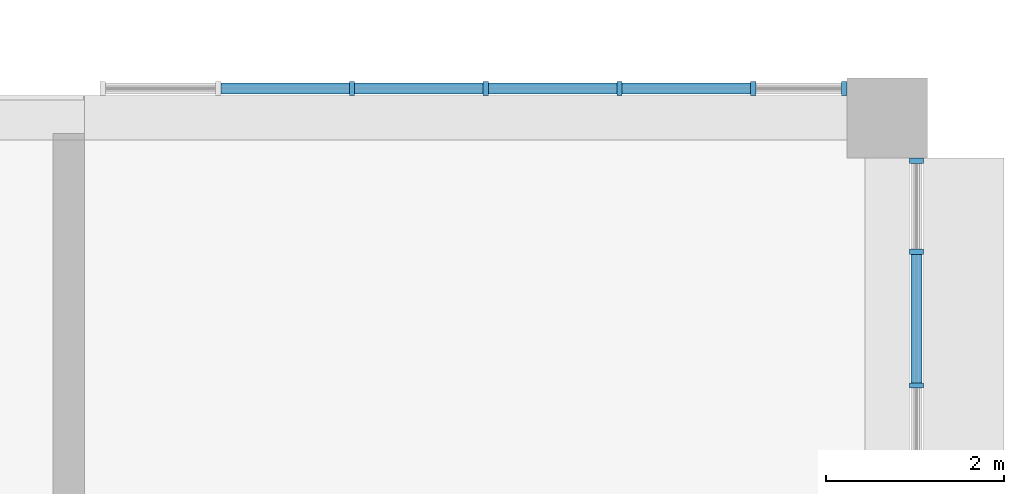
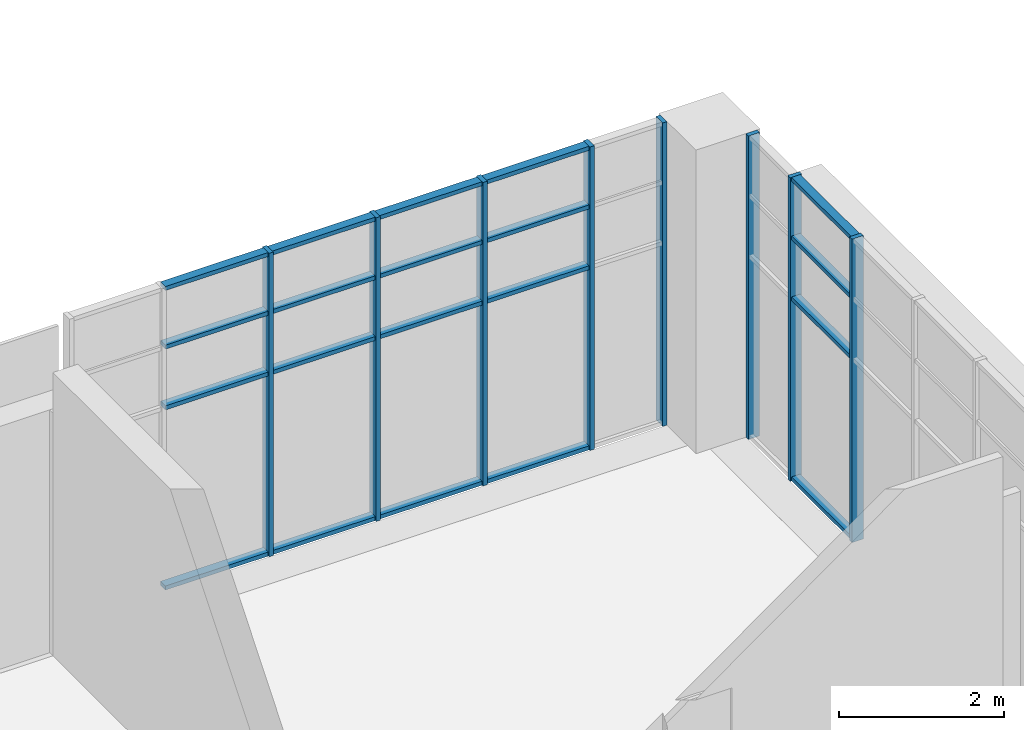
# One storey, part 14 of 45: 28 members, 2 elements without a shape of their own.
"""IFC4 building model written with IfcOpenShell, lengths in metres."""

from ifc_helpers import new_model, si_unit, direction, frame, origin, origin_2d, place, context, subcontext, project, spatial, rectangle, extrude, material, layer, layer_set, material_profile, profile_set, type_object, element, aggregate, save


model = new_model("IFC4")

# Units and contexts
model_context = context("Model", 3, precision=1e-05, world=origin(), true_north=direction((0.0, 1.0)))
body_context = subcontext(model_context, "Body", "Model", "MODEL_VIEW")
ifc_project = project(units=[si_unit("LENGTHUNIT", "METRE"), si_unit("AREAUNIT", "SQUARE_METRE"), si_unit("VOLUMEUNIT", "CUBIC_METRE"), si_unit("PLANEANGLEUNIT", "RADIAN"), si_unit("MASSUNIT", "GRAM", prefix="KILO")], contexts=[model_context])

# Site, building, storey
site_placement = place(None, origin())
site = spatial("IfcSite", under=ifc_project, at=site_placement, CompositionType="ELEMENT")
building_placement = place(site_placement, origin())
building = spatial("IfcBuilding", under=site, at=building_placement, Name="Guidao Yard Department Store", CompositionType="ELEMENT")
storey_placement = place(building_placement, frame((0.0, 0.0, 19.5)))
storey = spatial("IfcBuildingStorey", under=building, at=storey_placement, Name="L04", CompositionType="ELEMENT", Elevation=19.5)

# Curtain wall, members
ifc_material_1 = material(Name="Aluminium and glass", Category="aluminium")
ifc_layer = layer(ifc_material_1, 0.159912109375)
ifc_layer_set = layer_set([ifc_layer], Name="Unitised curtain wall CW4 1500 module")
curtain_wall_type = type_object("IfcCurtainWallType", Name="Unitised curtain wall CW4 1500 module", PredefinedType="NOTDEFINED", material=ifc_layer_set)
curtain_wall_1_placement = place(storey_placement, origin())
curtain_wall_1 = element("IfcCurtainWall", 1, at=curtain_wall_1_placement, inside=storey, type_object=curtain_wall_type, Name="Unitised curtain wall", PredefinedType="NOTDEFINED")
ifc_material_2 = material(Name="Aluminium 6063-T5", Category="aluminium")
ifc_material_profile_1 = material_profile(ifc_material_2, rectangle(XDim=0.06005859375, YDim=0.159912109375, at=origin_2d()), Name="Mullion M1 60 x 160 aluminium pressure plate")
ifc_profile_set_1 = profile_set([ifc_material_profile_1], Name="Aluminium 6063-T5")
member_type_1 = type_object("IfcMemberType", Name="Mullion M1 60 x 160 aluminium pressure plate", PredefinedType="MULLION", material=ifc_profile_set_1)
member_1_placement = place(storey_placement, frame((165.0, 27.330078125, 0.0), z_axis=(0.0, 0.0, 1.0), x_axis=(1.0, 0.0, 0.0)))
member_1 = element("IfcMember", 2, at=member_1_placement, type_object=member_type_1, Name="CW-OW-L04-08 mullion 3", PredefinedType="MULLION", context=body_context, shape_type="SweptSolid", body=[
    extrude(rectangle(XDim=0.06005859375, YDim=0.159912109375, at=origin_2d()), origin(), (0.0, 0.0, 1.0), 4.5),
])
member_2_placement = place(storey_placement, frame((166.5, 27.330078125, 0.0), z_axis=(0.0, 0.0, 1.0), x_axis=(1.0, 0.0, 0.0)))
member_2 = element("IfcMember", 3, at=member_2_placement, type_object=member_type_1, Name="CW-OW-L04-08 mullion 4", PredefinedType="MULLION", context=body_context, shape_type="SweptSolid", body=[
    extrude(rectangle(XDim=0.06005859375, YDim=0.159912109375, at=origin_2d()), origin(), (0.0, 0.0, 1.0), 4.5),
])
member_3_placement = place(storey_placement, frame((168.0, 27.330078125, 0.0), z_axis=(0.0, 0.0, 1.0), x_axis=(1.0, 0.0, 0.0)))
member_3 = element("IfcMember", 4, at=member_3_placement, type_object=member_type_1, Name="CW-OW-L04-08 mullion 5", PredefinedType="MULLION", context=body_context, shape_type="SweptSolid", body=[
    extrude(rectangle(XDim=0.06005859375, YDim=0.159912109375, at=origin_2d()), origin(), (0.0, 0.0, 1.0), 4.5),
])
member_4_placement = place(storey_placement, frame((169.5, 27.330078125, 0.0), z_axis=(0.0, 0.0, 1.0), x_axis=(1.0, 0.0, 0.0)))
member_4 = element("IfcMember", 5, at=member_4_placement, type_object=member_type_1, Name="CW-OW-L04-08 mullion 6", PredefinedType="MULLION", context=body_context, shape_type="SweptSolid", body=[
    extrude(rectangle(XDim=0.06005859375, YDim=0.159912109375, at=origin_2d()), origin(), (0.0, 0.0, 1.0), 4.5),
])
member_5_placement = place(storey_placement, frame((170.52001953125, 27.330078125, 0.0), z_axis=(0.0, 0.0, 1.0), x_axis=(1.0, 0.0, 0.0)))
member_5 = element("IfcMember", 6, at=member_5_placement, type_object=member_type_1, Name="CW-OW-L04-08 mullion 7", PredefinedType="MULLION", context=body_context, shape_type="SweptSolid", body=[
    extrude(rectangle(XDim=0.06005859375, YDim=0.159912109375, at=origin_2d()), origin(), (0.0, 0.0, 1.0), 4.5),
])

curtain_wall_2_placement = place(storey_placement, origin())
curtain_wall_2 = element("IfcCurtainWall", 7, at=curtain_wall_2_placement, inside=storey, type_object=curtain_wall_type, Name="Unitised curtain wall", PredefinedType="NOTDEFINED")
member_6_placement = place(storey_placement, frame((171.330078125, 24.0, 0.0), z_axis=(0.0, 0.0, 1.0), x_axis=(0.0, -1.0, 0.0)))
member_6 = element("IfcMember", 8, at=member_6_placement, type_object=member_type_1, Name="CW-OW-L04-11 mullion 5", PredefinedType="MULLION", context=body_context, shape_type="SweptSolid", body=[
    extrude(rectangle(XDim=0.06005859375, YDim=0.159912109375, at=origin_2d()), origin(), (0.0, 0.0, 1.0), 4.5),
])
member_7_placement = place(storey_placement, frame((171.330078125, 25.5, 0.0), z_axis=(0.0, 0.0, 1.0), x_axis=(0.0, -1.0, 0.0)))
member_7 = element("IfcMember", 9, at=member_7_placement, type_object=member_type_1, Name="CW-OW-L04-11 mullion 6", PredefinedType="MULLION", context=body_context, shape_type="SweptSolid", body=[
    extrude(rectangle(XDim=0.06005859375, YDim=0.159912109375, at=origin_2d()), origin(), (0.0, 0.0, 1.0), 4.5),
])
member_8_placement = place(storey_placement, frame((171.330078125, 26.52001953125, 0.0), z_axis=(0.0, 0.0, 1.0), x_axis=(0.0, -1.0, 0.0)))
member_8 = element("IfcMember", 10, at=member_8_placement, type_object=member_type_1, Name="CW-OW-L04-11 mullion 7", PredefinedType="MULLION", context=body_context, shape_type="SweptSolid", body=[
    extrude(rectangle(XDim=0.06005859375, YDim=0.159912109375, at=origin_2d()), origin(), (0.0, 0.0, 1.0), 4.5),
])

# Member
ifc_material_3 = material(Name="Aluminium 6063-T5", Category="aluminium")
ifc_material_profile_2 = material_profile(ifc_material_3, rectangle(XDim=0.1201171875, YDim=0.06005859375, at=origin_2d()), Name="Transom T1 60 x 120 aluminium pressure plate")
ifc_profile_set_2 = profile_set([ifc_material_profile_2], Name="Aluminium 6063-T5")
member_type_2 = type_object("IfcMemberType", Name="Transom T1 60 x 120 aluminium pressure plate", PredefinedType="USERDEFINED", material=ifc_profile_set_2)
member_9_placement = place(storey_placement, frame((163.530029296875, 27.330078125, 0.030029296875), z_axis=(1.0, 0.0, 0.0), x_axis=(0.0, 1.0, 0.0)))
member_9 = element("IfcMember", 11, at=member_9_placement, type_object=member_type_2, Name="CW-OW-L04-08 transom 2.1", ObjectType="TRANSOM", PredefinedType="USERDEFINED", context=body_context, shape_type="SweptSolid", body=[
    extrude(rectangle(XDim=0.1201171875, YDim=0.06005859375, at=origin_2d()), origin(), (0.0, 0.0, 1.0), 1.43994140625),
])

member_10_placement = place(storey_placement, frame((163.530029296875, 27.330078125, 2.699951171875), z_axis=(1.0, 0.0, 0.0), x_axis=(0.0, 1.0, 0.0)))
member_10 = element("IfcMember", 12, at=member_10_placement, type_object=member_type_2, Name="CW-OW-L04-08 transom 2.2", ObjectType="TRANSOM", PredefinedType="USERDEFINED", context=body_context, shape_type="SweptSolid", body=[
    extrude(rectangle(XDim=0.1201171875, YDim=0.06005859375, at=origin_2d()), origin(), (0.0, 0.0, 1.0), 1.43994140625),
])

member_11_placement = place(storey_placement, frame((163.530029296875, 27.330078125, 3.60009765625), z_axis=(1.0, 0.0, 0.0), x_axis=(0.0, 1.0, 0.0)))
member_11 = element("IfcMember", 13, at=member_11_placement, type_object=member_type_2, Name="CW-OW-L04-08 transom 2.3", ObjectType="TRANSOM", PredefinedType="USERDEFINED", context=body_context, shape_type="SweptSolid", body=[
    extrude(rectangle(XDim=0.1201171875, YDim=0.06005859375, at=origin_2d()), origin(), (0.0, 0.0, 1.0), 1.43994140625),
])

member_12_placement = place(storey_placement, frame((163.530029296875, 27.330078125, 4.469970703125), z_axis=(1.0, 0.0, 0.0), x_axis=(0.0, 1.0, 0.0)))
member_12 = element("IfcMember", 14, at=member_12_placement, type_object=member_type_2, Name="CW-OW-L04-08 transom 2.4", ObjectType="TRANSOM", PredefinedType="USERDEFINED", context=body_context, shape_type="SweptSolid", body=[
    extrude(rectangle(XDim=0.1201171875, YDim=0.06005859375, at=origin_2d()), origin(), (0.0, 0.0, 1.0), 1.43994140625),
])

member_13_placement = place(storey_placement, frame((165.030029296875, 27.330078125, 0.030029296875), z_axis=(1.0, 0.0, 0.0), x_axis=(0.0, 1.0, 0.0)))
member_13 = element("IfcMember", 15, at=member_13_placement, type_object=member_type_2, Name="CW-OW-L04-08 transom 3.1", ObjectType="TRANSOM", PredefinedType="USERDEFINED", context=body_context, shape_type="SweptSolid", body=[
    extrude(rectangle(XDim=0.1201171875, YDim=0.06005859375, at=origin_2d()), origin(), (0.0, 0.0, 1.0), 1.43994140625),
])

member_14_placement = place(storey_placement, frame((165.030029296875, 27.330078125, 2.699951171875), z_axis=(1.0, 0.0, 0.0), x_axis=(0.0, 1.0, 0.0)))
member_14 = element("IfcMember", 16, at=member_14_placement, type_object=member_type_2, Name="CW-OW-L04-08 transom 3.2", ObjectType="TRANSOM", PredefinedType="USERDEFINED", context=body_context, shape_type="SweptSolid", body=[
    extrude(rectangle(XDim=0.1201171875, YDim=0.06005859375, at=origin_2d()), origin(), (0.0, 0.0, 1.0), 1.43994140625),
])

member_15_placement = place(storey_placement, frame((165.030029296875, 27.330078125, 3.60009765625), z_axis=(1.0, 0.0, 0.0), x_axis=(0.0, 1.0, 0.0)))
member_15 = element("IfcMember", 17, at=member_15_placement, type_object=member_type_2, Name="CW-OW-L04-08 transom 3.3", ObjectType="TRANSOM", PredefinedType="USERDEFINED", context=body_context, shape_type="SweptSolid", body=[
    extrude(rectangle(XDim=0.1201171875, YDim=0.06005859375, at=origin_2d()), origin(), (0.0, 0.0, 1.0), 1.43994140625),
])

member_16_placement = place(storey_placement, frame((165.030029296875, 27.330078125, 4.469970703125), z_axis=(1.0, 0.0, 0.0), x_axis=(0.0, 1.0, 0.0)))
member_16 = element("IfcMember", 18, at=member_16_placement, type_object=member_type_2, Name="CW-OW-L04-08 transom 3.4", ObjectType="TRANSOM", PredefinedType="USERDEFINED", context=body_context, shape_type="SweptSolid", body=[
    extrude(rectangle(XDim=0.1201171875, YDim=0.06005859375, at=origin_2d()), origin(), (0.0, 0.0, 1.0), 1.43994140625),
])

member_17_placement = place(storey_placement, frame((166.530029296875, 27.330078125, 0.030029296875), z_axis=(1.0, 0.0, 0.0), x_axis=(0.0, 1.0, 0.0)))
member_17 = element("IfcMember", 19, at=member_17_placement, type_object=member_type_2, Name="CW-OW-L04-08 transom 4.1", ObjectType="TRANSOM", PredefinedType="USERDEFINED", context=body_context, shape_type="SweptSolid", body=[
    extrude(rectangle(XDim=0.1201171875, YDim=0.06005859375, at=origin_2d()), origin(), (0.0, 0.0, 1.0), 1.43994140625),
])

member_18_placement = place(storey_placement, frame((166.530029296875, 27.330078125, 2.699951171875), z_axis=(1.0, 0.0, 0.0), x_axis=(0.0, 1.0, 0.0)))
member_18 = element("IfcMember", 20, at=member_18_placement, type_object=member_type_2, Name="CW-OW-L04-08 transom 4.2", ObjectType="TRANSOM", PredefinedType="USERDEFINED", context=body_context, shape_type="SweptSolid", body=[
    extrude(rectangle(XDim=0.1201171875, YDim=0.06005859375, at=origin_2d()), origin(), (0.0, 0.0, 1.0), 1.43994140625),
])

member_19_placement = place(storey_placement, frame((166.530029296875, 27.330078125, 3.60009765625), z_axis=(1.0, 0.0, 0.0), x_axis=(0.0, 1.0, 0.0)))
member_19 = element("IfcMember", 21, at=member_19_placement, type_object=member_type_2, Name="CW-OW-L04-08 transom 4.3", ObjectType="TRANSOM", PredefinedType="USERDEFINED", context=body_context, shape_type="SweptSolid", body=[
    extrude(rectangle(XDim=0.1201171875, YDim=0.06005859375, at=origin_2d()), origin(), (0.0, 0.0, 1.0), 1.43994140625),
])

member_20_placement = place(storey_placement, frame((166.530029296875, 27.330078125, 4.469970703125), z_axis=(1.0, 0.0, 0.0), x_axis=(0.0, 1.0, 0.0)))
member_20 = element("IfcMember", 22, at=member_20_placement, type_object=member_type_2, Name="CW-OW-L04-08 transom 4.4", ObjectType="TRANSOM", PredefinedType="USERDEFINED", context=body_context, shape_type="SweptSolid", body=[
    extrude(rectangle(XDim=0.1201171875, YDim=0.06005859375, at=origin_2d()), origin(), (0.0, 0.0, 1.0), 1.43994140625),
])

member_21_placement = place(storey_placement, frame((168.030029296875, 27.330078125, 0.030029296875), z_axis=(1.0, 0.0, 0.0), x_axis=(0.0, 1.0, 0.0)))
member_21 = element("IfcMember", 23, at=member_21_placement, type_object=member_type_2, Name="CW-OW-L04-08 transom 5.1", ObjectType="TRANSOM", PredefinedType="USERDEFINED", context=body_context, shape_type="SweptSolid", body=[
    extrude(rectangle(XDim=0.1201171875, YDim=0.06005859375, at=origin_2d()), origin(), (0.0, 0.0, 1.0), 1.43994140625),
])

member_22_placement = place(storey_placement, frame((168.030029296875, 27.330078125, 2.699951171875), z_axis=(1.0, 0.0, 0.0), x_axis=(0.0, 1.0, 0.0)))
member_22 = element("IfcMember", 24, at=member_22_placement, type_object=member_type_2, Name="CW-OW-L04-08 transom 5.2", ObjectType="TRANSOM", PredefinedType="USERDEFINED", context=body_context, shape_type="SweptSolid", body=[
    extrude(rectangle(XDim=0.1201171875, YDim=0.06005859375, at=origin_2d()), origin(), (0.0, 0.0, 1.0), 1.43994140625),
])

member_23_placement = place(storey_placement, frame((168.030029296875, 27.330078125, 3.60009765625), z_axis=(1.0, 0.0, 0.0), x_axis=(0.0, 1.0, 0.0)))
member_23 = element("IfcMember", 25, at=member_23_placement, type_object=member_type_2, Name="CW-OW-L04-08 transom 5.3", ObjectType="TRANSOM", PredefinedType="USERDEFINED", context=body_context, shape_type="SweptSolid", body=[
    extrude(rectangle(XDim=0.1201171875, YDim=0.06005859375, at=origin_2d()), origin(), (0.0, 0.0, 1.0), 1.43994140625),
])

member_24_placement = place(storey_placement, frame((168.030029296875, 27.330078125, 4.469970703125), z_axis=(1.0, 0.0, 0.0), x_axis=(0.0, 1.0, 0.0)))
member_24 = element("IfcMember", 26, at=member_24_placement, type_object=member_type_2, Name="CW-OW-L04-08 transom 5.4", ObjectType="TRANSOM", PredefinedType="USERDEFINED", context=body_context, shape_type="SweptSolid", body=[
    extrude(rectangle(XDim=0.1201171875, YDim=0.06005859375, at=origin_2d()), origin(), (0.0, 0.0, 1.0), 1.43994140625),
])

aggregate(curtain_wall_1, [member_1, member_2, member_3, member_4, member_5, member_9, member_10, member_11, member_12, member_13, member_14, member_15, member_16, member_17, member_18, member_19, member_20, member_21, member_22, member_23, member_24])

member_25_placement = place(storey_placement, frame((171.330078125, 25.469970703125, 0.030029296875), z_axis=(0.0, -1.0, 0.0), x_axis=(1.0, 0.0, 0.0)))
member_25 = element("IfcMember", 27, at=member_25_placement, type_object=member_type_2, Name="CW-OW-L04-11 transom 5.1", ObjectType="TRANSOM", PredefinedType="USERDEFINED", context=body_context, shape_type="SweptSolid", body=[
    extrude(rectangle(XDim=0.1201171875, YDim=0.06005859375, at=origin_2d()), origin(), (0.0, 0.0, 1.0), 1.43994140625),
])

member_26_placement = place(storey_placement, frame((171.330078125, 25.469970703125, 2.699951171875), z_axis=(0.0, -1.0, 0.0), x_axis=(1.0, 0.0, 0.0)))
member_26 = element("IfcMember", 28, at=member_26_placement, type_object=member_type_2, Name="CW-OW-L04-11 transom 5.2", ObjectType="TRANSOM", PredefinedType="USERDEFINED", context=body_context, shape_type="SweptSolid", body=[
    extrude(rectangle(XDim=0.1201171875, YDim=0.06005859375, at=origin_2d()), origin(), (0.0, 0.0, 1.0), 1.43994140625),
])

member_27_placement = place(storey_placement, frame((171.330078125, 25.469970703125, 3.60009765625), z_axis=(0.0, -1.0, 0.0), x_axis=(1.0, 0.0, 0.0)))
member_27 = element("IfcMember", 29, at=member_27_placement, type_object=member_type_2, Name="CW-OW-L04-11 transom 5.3", ObjectType="TRANSOM", PredefinedType="USERDEFINED", context=body_context, shape_type="SweptSolid", body=[
    extrude(rectangle(XDim=0.1201171875, YDim=0.06005859375, at=origin_2d()), origin(), (0.0, 0.0, 1.0), 1.43994140625),
])

member_28_placement = place(storey_placement, frame((171.330078125, 25.469970703125, 4.469970703125), z_axis=(0.0, -1.0, 0.0), x_axis=(1.0, 0.0, 0.0)))
member_28 = element("IfcMember", 30, at=member_28_placement, type_object=member_type_2, Name="CW-OW-L04-11 transom 5.4", ObjectType="TRANSOM", PredefinedType="USERDEFINED", context=body_context, shape_type="SweptSolid", body=[
    extrude(rectangle(XDim=0.1201171875, YDim=0.06005859375, at=origin_2d()), origin(), (0.0, 0.0, 1.0), 1.43994140625),
])

aggregate(curtain_wall_2, [member_6, member_7, member_8, member_25, member_26, member_27, member_28])

save(model, "model.ifc")
